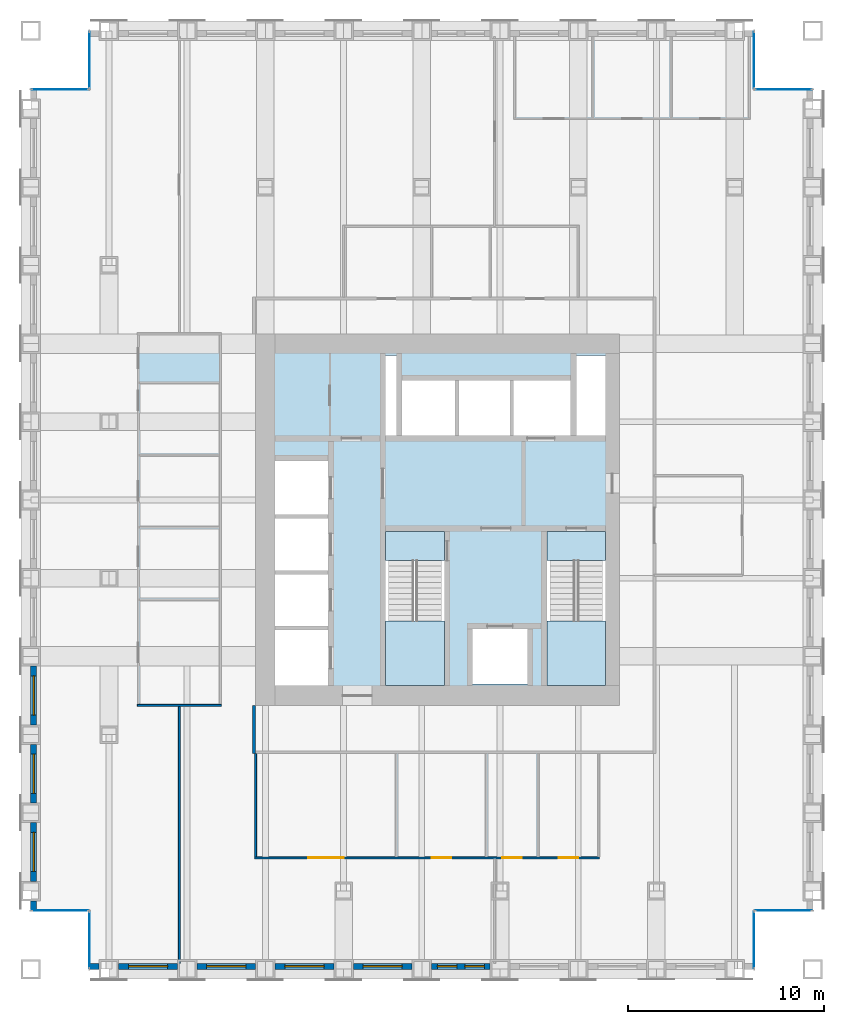
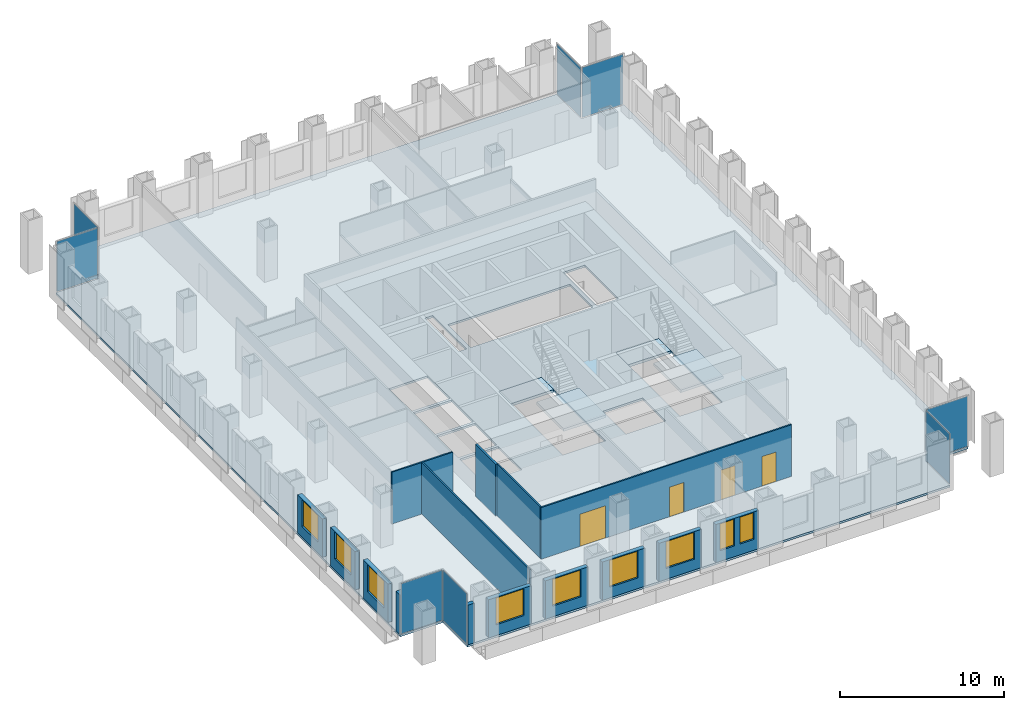
# One storey, part 7 of 12: 15 walls, 9 windows, 8 plates, 5 slabs, 4 doors, 13 openings, 10 elements without a shape of their own.
"""IFC4 building model written with IfcOpenShell, lengths in metres."""

from ifc_helpers import new_model, si_unit, direction, frame, frame_2d, origin, origin_2d, place, context, subcontext, project, spatial, polyline, rectangle, outline, extrude, material, layer, layer_set, type_object, element, fill, aggregate, save


model = new_model("IFC4")

# Units and contexts
model_context = context("Model", 3, precision=1e-05, world=origin(), true_north=direction((0.0, 1.0)))
body_context = subcontext(model_context, "Body", "Model", "MODEL_VIEW")
ifc_project = project(units=[si_unit("LENGTHUNIT", "METRE"), si_unit("AREAUNIT", "SQUARE_METRE"), si_unit("VOLUMEUNIT", "CUBIC_METRE"), si_unit("PLANEANGLEUNIT", "RADIAN"), si_unit("MASSUNIT", "GRAM", prefix="KILO")], contexts=[model_context])

# Site, building, storey
site_placement = place(None, origin())
site = spatial("IfcSite", under=ifc_project, at=site_placement, CompositionType="ELEMENT")
building_placement = place(site_placement, origin())
building = spatial("IfcBuilding", under=site, at=building_placement, Name="Rimbunsela Tower", CompositionType="ELEMENT")
storey_placement = place(building_placement, frame((0.0, 0.0, 163.800048828125)))
storey = spatial("IfcBuildingStorey", under=building, at=storey_placement, Name="L39", CompositionType="ELEMENT", Elevation=163.800048828125)

# Slab
ifc_material_1 = material(Name="Concrete fc' 35 MPa", Category="concrete")
ifc_layer_1 = layer(ifc_material_1, 0.14990234375)
ifc_layer_set_1 = layer_set([ifc_layer_1], Name="Floor slab 150")
slab_type_1 = type_object("IfcSlabType", Name="Floor slab 150", PredefinedType="FLOOR", material=ifc_layer_set_1)
slab_1_placement = place(storey_placement, frame((0.0, 0.0, -0.150146484375)))
element("IfcSlab", 1, at=slab_1_placement, inside=storey, type_object=slab_type_1, Name="Floor slab L39", PredefinedType="FLOOR", context=body_context, shape_type="SweptSolid", body=[
    extrude(outline(polyline([(9.0, 4.0), (43.0, 4.0), (43.0, 7.0), (46.0, 7.0), (46.0, 49.0), (43.0, 49.0), (43.0, 52.0), (9.0, 52.0), (9.0, 49.0), (6.0, 49.0), (6.0, 7.0), (9.0, 7.0), (9.0, 4.0)]), holes=[polyline([(21.199951171875, 21.35009765625), (18.5, 21.35009765625), (18.5, 18.5), (21.199951171875, 18.5), (21.199951171875, 21.35009765625)]), polyline([(21.199951171875, 21.550048828125), (21.199951171875, 24.199951171875), (18.5, 24.199951171875), (18.5, 21.550048828125), (21.199951171875, 21.550048828125)]), polyline([(21.199951171875, 27.050048828125), (18.5, 27.050048828125), (18.5, 24.39990234375), (21.199951171875, 24.39990234375), (21.199951171875, 27.050048828125)]), polyline([(21.199951171875, 27.25), (21.199951171875, 30.0), (18.5, 30.0), (18.5, 27.25), (21.199951171875, 27.25)]), polyline([(27.14990234375, 18.60009765625), (27.14990234375, 26.39990234375), (24.14990234375, 26.39990234375), (24.14990234375, 18.60009765625), (27.14990234375, 18.60009765625)]), polyline([(24.699951171875, 31.300048828125), (24.699951171875, 35.39990234375), (24.14990234375, 35.39990234375), (24.14990234375, 31.300048828125), (24.699951171875, 31.300048828125)]), polyline([(25.0, 34.10009765625), (25.0, 31.300048828125), (33.60009765625, 31.300048828125), (33.60009765625, 34.10009765625), (25.0, 34.10009765625)]), polyline([(31.39990234375, 21.39990234375), (28.60009765625, 21.39990234375), (28.60009765625, 18.60009765625), (31.39990234375, 18.60009765625), (31.39990234375, 21.39990234375)]), polyline([(35.39990234375, 18.60009765625), (35.39990234375, 26.39990234375), (32.39990234375, 26.39990234375), (32.39990234375, 18.60009765625), (35.39990234375, 18.60009765625)]), polyline([(35.39990234375, 31.300048828125), (35.39990234375, 35.39990234375), (33.89990234375, 35.39990234375), (33.89990234375, 31.300048828125), (35.39990234375, 31.300048828125)])]), origin(), (0.0, 0.0, 1.0), 0.150146484375),
])

# Curtain wall, plate
ifc_material_2 = material(Name="Aluminium curtain wall", Category="aluminium")
curtain_wall_type = type_object("IfcCurtainWallType", Name="Corner glazing", PredefinedType="USERDEFINED", material=ifc_material_2)
curtain_wall_1_placement = place(storey_placement, origin())
curtain_wall_1 = element("IfcCurtainWall", 2, at=curtain_wall_1_placement, inside=storey, type_object=curtain_wall_type, Name="Corner glazing L39", ObjectType="CORNER GLAZING", PredefinedType="USERDEFINED")
ifc_material_3 = material(Name="Clear double glazing", Category="glass")
ifc_layer_2 = layer(ifc_material_3, 0.028076171875)
ifc_layer_set_2 = layer_set([ifc_layer_2], Name="Glazed panel clear")
plate_type = type_object("IfcPlateType", Name="Glazed panel clear", PredefinedType="CURTAIN_PANEL", material=ifc_layer_set_2)
plate_1_placement = place(storey_placement, frame((43.0, 5.5, 0.06005859375), z_axis=(0.0, 0.0, 1.0), x_axis=(0.0, 1.0, 0.0)))
plate_1 = element("IfcPlate", 3, at=plate_1_placement, type_object=plate_type, Name="CW5 panel 1.1", PredefinedType="CURTAIN_PANEL", context=body_context, shape_type="SweptSolid", body=[
    extrude(rectangle(XDim=2.8798828125, YDim=0.028076171875, at=origin_2d()), origin(), (0.0, 0.0, 1.0), 3.72998046875),
])
aggregate(curtain_wall_1, [plate_1])

curtain_wall_2_placement = place(storey_placement, origin())
curtain_wall_2 = element("IfcCurtainWall", 4, at=curtain_wall_2_placement, inside=storey, type_object=curtain_wall_type, Name="Corner glazing L39", ObjectType="CORNER GLAZING", PredefinedType="USERDEFINED")
plate_2_placement = place(storey_placement, frame((44.5, 7.0, 0.06005859375), z_axis=(0.0, 0.0, 1.0), x_axis=(1.0, 0.0, 0.0)))
plate_2 = element("IfcPlate", 5, at=plate_2_placement, type_object=plate_type, Name="CW5 panel 1.1", PredefinedType="CURTAIN_PANEL", context=body_context, shape_type="SweptSolid", body=[
    extrude(rectangle(XDim=2.8798828125, YDim=0.028076171875, at=origin_2d()), origin(), (0.0, 0.0, 1.0), 3.72998046875),
])
aggregate(curtain_wall_2, [plate_2])

curtain_wall_3_placement = place(storey_placement, origin())
curtain_wall_3 = element("IfcCurtainWall", 6, at=curtain_wall_3_placement, inside=storey, type_object=curtain_wall_type, Name="Corner glazing L39", ObjectType="CORNER GLAZING", PredefinedType="USERDEFINED")
plate_3_placement = place(storey_placement, frame((44.5, 49.0, 0.06005859375), z_axis=(0.0, 0.0, 1.0), x_axis=(-1.0, 0.0, 0.0)))
plate_3 = element("IfcPlate", 7, at=plate_3_placement, type_object=plate_type, Name="CW5 panel 1.1", PredefinedType="CURTAIN_PANEL", context=body_context, shape_type="SweptSolid", body=[
    extrude(rectangle(XDim=2.8798828125, YDim=0.028076171875, at=origin_2d()), origin(), (0.0, 0.0, 1.0), 3.72998046875),
])
aggregate(curtain_wall_3, [plate_3])

curtain_wall_4_placement = place(storey_placement, origin())
curtain_wall_4 = element("IfcCurtainWall", 8, at=curtain_wall_4_placement, inside=storey, type_object=curtain_wall_type, Name="Corner glazing L39", ObjectType="CORNER GLAZING", PredefinedType="USERDEFINED")
plate_4_placement = place(storey_placement, frame((43.0, 50.5, 0.06005859375), z_axis=(0.0, 0.0, 1.0), x_axis=(0.0, 1.0, 0.0)))
plate_4 = element("IfcPlate", 9, at=plate_4_placement, type_object=plate_type, Name="CW5 panel 1.1", PredefinedType="CURTAIN_PANEL", context=body_context, shape_type="SweptSolid", body=[
    extrude(rectangle(XDim=2.8798828125, YDim=0.028076171875, at=origin_2d()), origin(), (0.0, 0.0, 1.0), 3.72998046875),
])
aggregate(curtain_wall_4, [plate_4])

curtain_wall_5_placement = place(storey_placement, origin())
curtain_wall_5 = element("IfcCurtainWall", 10, at=curtain_wall_5_placement, inside=storey, type_object=curtain_wall_type, Name="Corner glazing L39", ObjectType="CORNER GLAZING", PredefinedType="USERDEFINED")
plate_5_placement = place(storey_placement, frame((9.0, 50.5, 0.06005859375), z_axis=(0.0, 0.0, 1.0), x_axis=(0.0, -1.0, 0.0)))
plate_5 = element("IfcPlate", 11, at=plate_5_placement, type_object=plate_type, Name="CW5 panel 1.1", PredefinedType="CURTAIN_PANEL", context=body_context, shape_type="SweptSolid", body=[
    extrude(rectangle(XDim=2.8798828125, YDim=0.028076171875, at=origin_2d()), origin(), (0.0, 0.0, 1.0), 3.72998046875),
])
aggregate(curtain_wall_5, [plate_5])

curtain_wall_6_placement = place(storey_placement, origin())
curtain_wall_6 = element("IfcCurtainWall", 12, at=curtain_wall_6_placement, inside=storey, type_object=curtain_wall_type, Name="Corner glazing L39", ObjectType="CORNER GLAZING", PredefinedType="USERDEFINED")
plate_6_placement = place(storey_placement, frame((7.5, 49.0, 0.06005859375), z_axis=(0.0, 0.0, 1.0), x_axis=(-1.0, 0.0, 0.0)))
plate_6 = element("IfcPlate", 13, at=plate_6_placement, type_object=plate_type, Name="CW5 panel 1.1", PredefinedType="CURTAIN_PANEL", context=body_context, shape_type="SweptSolid", body=[
    extrude(rectangle(XDim=2.8798828125, YDim=0.028076171875, at=origin_2d()), origin(), (0.0, 0.0, 1.0), 3.72998046875),
])
aggregate(curtain_wall_6, [plate_6])

curtain_wall_7_placement = place(storey_placement, origin())
curtain_wall_7 = element("IfcCurtainWall", 14, at=curtain_wall_7_placement, inside=storey, type_object=curtain_wall_type, Name="Corner glazing L39", ObjectType="CORNER GLAZING", PredefinedType="USERDEFINED")
plate_7_placement = place(storey_placement, frame((7.5, 7.0, 0.06005859375), z_axis=(0.0, 0.0, 1.0), x_axis=(1.0, 0.0, 0.0)))
plate_7 = element("IfcPlate", 15, at=plate_7_placement, type_object=plate_type, Name="CW5 panel 1.1", PredefinedType="CURTAIN_PANEL", context=body_context, shape_type="SweptSolid", body=[
    extrude(rectangle(XDim=2.8798828125, YDim=0.028076171875, at=origin_2d()), origin(), (0.0, 0.0, 1.0), 3.72998046875),
])
aggregate(curtain_wall_7, [plate_7])

curtain_wall_8_placement = place(storey_placement, origin())
curtain_wall_8 = element("IfcCurtainWall", 16, at=curtain_wall_8_placement, inside=storey, type_object=curtain_wall_type, Name="Corner glazing L39", ObjectType="CORNER GLAZING", PredefinedType="USERDEFINED")
plate_8_placement = place(storey_placement, frame((9.0, 5.5, 0.06005859375), z_axis=(0.0, 0.0, 1.0), x_axis=(0.0, -1.0, 0.0)))
plate_8 = element("IfcPlate", 17, at=plate_8_placement, type_object=plate_type, Name="CW5 panel 1.1", PredefinedType="CURTAIN_PANEL", context=body_context, shape_type="SweptSolid", body=[
    extrude(rectangle(XDim=2.8798828125, YDim=0.028076171875, at=origin_2d()), origin(), (0.0, 0.0, 1.0), 3.72998046875),
])
aggregate(curtain_wall_8, [plate_8])

# Stair, slabs
ifc_material_4 = material(Name="Concrete fc' 35 MPa", Category="concrete")
stair_type = type_object("IfcStairType", Name="Exit stair 24 risers", PredefinedType="HALF_TURN_STAIR", material=ifc_material_4)
stair_1_placement = place(storey_placement, origin())
stair_1 = element("IfcStair", 18, at=stair_1_placement, inside=storey, type_object=stair_type, Name="Exit stair A L39", PredefinedType="HALF_TURN_STAIR")
ifc_material_5 = material(Name="Concrete fc' 35 MPa", Category="concrete")
ifc_layer_3 = layer(ifc_material_5, 0.199951171875)
ifc_layer_set_3 = layer_set([ifc_layer_3], Name="Stair landing 200")
slab_type_2 = type_object("IfcSlabType", Name="Stair landing 200", PredefinedType="LANDING", material=ifc_layer_set_3)
slab_2_placement = place(storey_placement, frame((0.0, 0.0, -0.199951171875)))
slab_2 = element("IfcSlab", 19, at=slab_2_placement, type_object=slab_type_2, Name="ST-A landing 1", PredefinedType="LANDING", context=body_context, shape_type="SweptSolid", body=[
    extrude(outline(polyline([(24.14990234375, 24.89990234375), (27.14990234375, 24.89990234375), (27.14990234375, 26.39990234375), (24.14990234375, 26.39990234375), (24.14990234375, 24.89990234375)])), origin(), (0.0, 0.0, 1.0), 0.199951171875),
])
slab_3_placement = place(storey_placement, frame((0.0, 0.0, 1.800048828125)))
slab_3 = element("IfcSlab", 20, at=slab_3_placement, type_object=slab_type_2, Name="ST-A landing 2", PredefinedType="LANDING", context=body_context, shape_type="SweptSolid", body=[
    extrude(outline(polyline([(24.14990234375, 18.5), (27.14990234375, 18.5), (27.14990234375, 21.820068359375), (24.14990234375, 21.820068359375), (24.14990234375, 18.5)])), origin(), (0.0, 0.0, 1.0), 0.199951171875),
])
aggregate(stair_1, [slab_2, slab_3])

stair_2_placement = place(storey_placement, origin())
stair_2 = element("IfcStair", 21, at=stair_2_placement, inside=storey, type_object=stair_type, Name="Exit stair B L39", PredefinedType="HALF_TURN_STAIR")
slab_4_placement = place(storey_placement, frame((0.0, 0.0, -0.199951171875)))
slab_4 = element("IfcSlab", 22, at=slab_4_placement, type_object=slab_type_2, Name="ST-B landing 1", PredefinedType="LANDING", context=body_context, shape_type="SweptSolid", body=[
    extrude(outline(polyline([(32.39990234375, 24.89990234375), (35.39990234375, 24.89990234375), (35.39990234375, 26.39990234375), (32.39990234375, 26.39990234375), (32.39990234375, 24.89990234375)])), origin(), (0.0, 0.0, 1.0), 0.199951171875),
])
slab_5_placement = place(storey_placement, frame((0.0, 0.0, 1.800048828125)))
slab_5 = element("IfcSlab", 23, at=slab_5_placement, type_object=slab_type_2, Name="ST-B landing 2", PredefinedType="LANDING", context=body_context, shape_type="SweptSolid", body=[
    extrude(outline(polyline([(32.39990234375, 18.5), (35.39990234375, 18.5), (35.39990234375, 21.820068359375), (32.39990234375, 21.820068359375), (32.39990234375, 18.5)])), origin(), (0.0, 0.0, 1.0), 0.199951171875),
])
aggregate(stair_2, [slab_4, slab_5])

# Wall, openings, doors
ifc_material_6 = material(Name="Gypsum board on steel studs", Category="steel")
ifc_layer_4 = layer(ifc_material_6, 0.10009765625)
ifc_layer_set_4 = layer_set([ifc_layer_4], Name="Office partition 100")
wall_type_1 = type_object("IfcWallType", Name="Office partition 100", PredefinedType="PARTITIONING", material=ifc_layer_set_4)
wall_1_placement = place(storey_placement, frame((17.449951171875, 9.699951171875, 0.0), z_axis=(0.0, 0.0, 1.0), x_axis=(1.0, 0.0, 0.0)))
wall_1 = element("IfcWall", 24, at=wall_1_placement, inside=storey, type_object=wall_type_1, Name="Office partition", PredefinedType="PARTITIONING", context=body_context, shape_type="SweptSolid", body=[
    extrude(rectangle(XDim=17.650146484375, YDim=0.10009765625, at=frame_2d((8.8251953125, 0.0))), origin(), (0.0, 0.0, 1.0), 3.849853515625),
])
opening_1_placement = place(wall_1_placement, frame((2.75, 0.0, 0.0)))
opening_1 = element("IfcOpeningElement", 25, at=opening_1_placement, cuts=wall_1, Name="Opening D18", PredefinedType="OPENING", context=body_context, shape_type="SweptSolid", body=[
    extrude(rectangle(XDim=1.800048828125, YDim=2.39990234375, at=frame_2d((0.89990234375, 1.199951171875))), frame((0.0, 0.06005859375, 0.0), z_axis=(0.0, -1.0, 0.0), x_axis=(1.0, 0.0, 0.0)), (0.0, 0.0, 1.0), 0.1201171875),
])
opening_2_placement = place(wall_1_placement, frame((9.050048828125, 0.0, 0.0)))
opening_2 = element("IfcOpeningElement", 26, at=opening_2_placement, cuts=wall_1, Name="Opening D16", PredefinedType="OPENING", context=body_context, shape_type="SweptSolid", body=[
    extrude(rectangle(XDim=1.0, YDim=2.199951171875, at=frame_2d((0.5, 1.10009765625))), frame((0.0, 0.06005859375, 0.0), z_axis=(0.0, -1.0, 0.0), x_axis=(1.0, 0.0, 0.0)), (0.0, 0.0, 1.0), 0.1201171875),
])
opening_3_placement = place(wall_1_placement, frame((12.675048828125, 0.0, 0.0)))
opening_3 = element("IfcOpeningElement", 27, at=opening_3_placement, cuts=wall_1, Name="Opening D16", PredefinedType="OPENING", context=body_context, shape_type="SweptSolid", body=[
    extrude(rectangle(XDim=1.0, YDim=2.199951171875, at=frame_2d((0.5, 1.10009765625))), frame((0.0, 0.06005859375, 0.0), z_axis=(0.0, -1.0, 0.0), x_axis=(1.0, 0.0, 0.0)), (0.0, 0.0, 1.0), 0.1201171875),
])
opening_4_placement = place(wall_1_placement, frame((15.550048828125, 0.0, 0.0)))
opening_4 = element("IfcOpeningElement", 28, at=opening_4_placement, cuts=wall_1, Name="Opening D16", PredefinedType="OPENING", context=body_context, shape_type="SweptSolid", body=[
    extrude(rectangle(XDim=1.0, YDim=2.199951171875, at=frame_2d((0.5, 1.10009765625))), frame((0.0, 0.06005859375, 0.0), z_axis=(0.0, -1.0, 0.0), x_axis=(1.0, 0.0, 0.0)), (0.0, 0.0, 1.0), 0.1201171875),
])
ifc_material_7 = material(Name="Glazed aluminium door", Category="aluminium")
door_type_1 = type_object("IfcDoorType", Name="Boardroom door 1800 glazed", OperationType="DOUBLE_DOOR_DOUBLE_SWING", PredefinedType="DOOR", material=ifc_material_7)
door_1_placement = place(opening_1_placement, origin())
door_1 = element("IfcDoor", 29, at=door_1_placement, inside=storey, type_object=door_type_1, Name="Boardroom door", OperationType="DOUBLE_DOOR_DOUBLE_SWING", OverallHeight=2.39990234375, OverallWidth=1.800048828125, PredefinedType="DOOR", context=body_context, shape_type="SweptSolid", body=[
    extrude(rectangle(XDim=1.800048828125, YDim=2.39990234375, at=frame_2d((0.89990234375, 1.199951171875))), frame((0.0, 0.02490234375, 0.0), z_axis=(0.0, -1.0, 0.0), x_axis=(1.0, 0.0, 0.0)), (0.0, 0.0, 1.0), 0.050048828125),
])
fill(opening_1, door_1)
ifc_material_8 = material(Name="Timber door", Category="wood")
door_type_2 = type_object("IfcDoorType", Name="Office door 1000", OperationType="SINGLE_SWING_LEFT", PredefinedType="DOOR", material=ifc_material_8)
door_2_placement = place(opening_2_placement, origin())
door_2 = element("IfcDoor", 30, at=door_2_placement, inside=storey, type_object=door_type_2, Name="Office door", OperationType="SINGLE_SWING_LEFT", OverallHeight=2.199951171875, OverallWidth=1.0, PredefinedType="DOOR", context=body_context, shape_type="SweptSolid", body=[
    extrude(rectangle(XDim=1.0, YDim=2.199951171875, at=frame_2d((0.5, 1.10009765625))), frame((0.0, 0.02490234375, 0.0), z_axis=(0.0, -1.0, 0.0), x_axis=(1.0, 0.0, 0.0)), (0.0, 0.0, 1.0), 0.050048828125),
])
fill(opening_2, door_2)
door_3_placement = place(opening_3_placement, origin())
door_3 = element("IfcDoor", 31, at=door_3_placement, inside=storey, type_object=door_type_2, Name="Office door", OperationType="SINGLE_SWING_LEFT", OverallHeight=2.199951171875, OverallWidth=1.0, PredefinedType="DOOR", context=body_context, shape_type="SweptSolid", body=[
    extrude(rectangle(XDim=1.0, YDim=2.199951171875, at=frame_2d((0.5, 1.10009765625))), frame((0.0, 0.02490234375, 0.0), z_axis=(0.0, -1.0, 0.0), x_axis=(1.0, 0.0, 0.0)), (0.0, 0.0, 1.0), 0.050048828125),
])
fill(opening_3, door_3)
door_4_placement = place(opening_4_placement, origin())
door_4 = element("IfcDoor", 32, at=door_4_placement, inside=storey, type_object=door_type_2, Name="Office door", OperationType="SINGLE_SWING_LEFT", OverallHeight=2.199951171875, OverallWidth=1.0, PredefinedType="DOOR", context=body_context, shape_type="SweptSolid", body=[
    extrude(rectangle(XDim=1.0, YDim=2.199951171875, at=frame_2d((0.5, 1.10009765625))), frame((0.0, 0.02490234375, 0.0), z_axis=(0.0, -1.0, 0.0), x_axis=(1.0, 0.0, 0.0)), (0.0, 0.0, 1.0), 0.050048828125),
])
fill(opening_4, door_4)

# Walls
wall_2_placement = place(storey_placement, frame((11.449951171875, 17.5, 0.0), z_axis=(0.0, 0.0, 1.0), x_axis=(1.0, 0.0, 0.0)))
element("IfcWall", 33, at=wall_2_placement, inside=storey, type_object=wall_type_1, Name="Office partition", PredefinedType="PARTITIONING", context=body_context, shape_type="SweptSolid", body=[
    extrude(rectangle(XDim=4.300048828125, YDim=0.10009765625, at=frame_2d((2.14990234375, 0.0))), origin(), (0.0, 0.0, 1.0), 3.849853515625),
])
wall_3_placement = place(storey_placement, frame((17.5, 9.75, 0.0), z_axis=(0.0, 0.0, 1.0), x_axis=(0.0, 1.0, 0.0)))
element("IfcWall", 34, at=wall_3_placement, inside=storey, type_object=wall_type_1, Name="Office partition", PredefinedType="PARTITIONING", context=body_context, shape_type="SweptSolid", body=[
    extrude(rectangle(XDim=5.27490234375, YDim=0.10009765625, at=frame_2d((2.637451171875, 0.0))), origin(), (0.0, 0.0, 1.0), 3.849853515625),
])
wall_4_placement = place(storey_placement, frame((13.60009765625, 4.300048828125, 0.0), z_axis=(0.0, 0.0, 1.0), x_axis=(0.0, 1.0, 0.0)))
element("IfcWall", 35, at=wall_4_placement, inside=storey, type_object=wall_type_1, Name="Office partition", PredefinedType="PARTITIONING", context=body_context, shape_type="SweptSolid", body=[
    extrude(rectangle(XDim=13.14990234375, YDim=0.10009765625, at=frame_2d((6.574951171875, 0.0))), origin(), (0.0, 0.0, 1.0), 3.849853515625),
])
ifc_material_9 = material(Name="Precast concrete fc' 35 MPa", Category="concrete")
ifc_layer_5 = layer(ifc_material_9, 0.300048828125)
ifc_layer_set_5 = layer_set([ifc_layer_5], Name="Precast concrete fc' 35 MPa")
wall_type_2 = type_object("IfcWallType", Name="Precast facade panel 300", PredefinedType="ELEMENTEDWALL", material=ifc_layer_set_5)
wall_5_placement = place(storey_placement, frame((9.030029296875, 4.14990234375, 0.0), z_axis=(0.0, 0.0, 1.0), x_axis=(1.0, 0.0, 0.0)))
element("IfcWall", 36, at=wall_5_placement, inside=storey, type_object=wall_type_2, Name="Facade panel S L39", PredefinedType="ELEMENTEDWALL", context=body_context, shape_type="SweptSolid", body=[
    extrude(rectangle(XDim=0.469970703125, YDim=0.300048828125, at=frame_2d((0.23486328125, 0.0))), origin(), (0.0, 0.0, 1.0), 2.949951171875),
])

# Wall, opening, window
wall_6_placement = place(storey_placement, frame((10.5, 4.14990234375, 0.0), z_axis=(0.0, 0.0, 1.0), x_axis=(1.0, 0.0, 0.0)))
wall_6 = element("IfcWall", 37, at=wall_6_placement, inside=storey, type_object=wall_type_2, Name="Facade panel S L39", PredefinedType="ELEMENTEDWALL", context=body_context, shape_type="SweptSolid", body=[
    extrude(rectangle(XDim=3.0, YDim=0.300048828125, at=frame_2d((1.5, 0.0))), origin(), (0.0, 0.0, 1.0), 2.849853515625),
])
opening_5_placement = place(wall_6_placement, frame((0.5, 0.0, 0.800048828125)))
opening_5 = element("IfcOpeningElement", 38, at=opening_5_placement, cuts=wall_6, Name="Opening W1", PredefinedType="OPENING", context=body_context, shape_type="SweptSolid", body=[
    extrude(rectangle(XDim=2.0, YDim=2.0, at=frame_2d((1.0, 1.0))), frame((0.0, 0.159912109375, 0.0), z_axis=(0.0, -1.0, 0.0), x_axis=(1.0, 0.0, 0.0)), (0.0, 0.0, 1.0), 0.320068359375),
])
ifc_material_10 = material(Name="Clear glass in aluminium frame", Category="aluminium")
window_type_1 = type_object("IfcWindowType", Name="Window W1 2000x2000", PartitioningType="DOUBLE_PANEL_VERTICAL", PredefinedType="WINDOW", material=ifc_material_10)
window_1_placement = place(opening_5_placement, origin())
window_1 = element("IfcWindow", 39, at=window_1_placement, inside=storey, type_object=window_type_1, Name="Window L39", OverallHeight=2.0, OverallWidth=2.0, PartitioningType="SINGLE_PANEL", PredefinedType="WINDOW", context=body_context, shape_type="SweptSolid", body=[
    extrude(rectangle(XDim=2.0, YDim=2.0, at=frame_2d((1.0, 1.0))), frame((0.0, 0.030029296875, 0.0), z_axis=(0.0, -1.0, 0.0), x_axis=(1.0, 0.0, 0.0)), (0.0, 0.0, 1.0), 0.06005859375),
])
fill(opening_5, window_1)

wall_7_placement = place(storey_placement, frame((14.5, 4.14990234375, 0.0), z_axis=(0.0, 0.0, 1.0), x_axis=(1.0, 0.0, 0.0)))
wall_7 = element("IfcWall", 40, at=wall_7_placement, inside=storey, type_object=wall_type_2, Name="Facade panel S L39", PredefinedType="ELEMENTEDWALL", context=body_context, shape_type="SweptSolid", body=[
    extrude(rectangle(XDim=3.0, YDim=0.300048828125, at=frame_2d((1.5, 0.0))), origin(), (0.0, 0.0, 1.0), 2.849853515625),
])
opening_6_placement = place(wall_7_placement, frame((0.5, 0.0, 0.800048828125)))
opening_6 = element("IfcOpeningElement", 41, at=opening_6_placement, cuts=wall_7, Name="Opening W1", PredefinedType="OPENING", context=body_context, shape_type="SweptSolid", body=[
    extrude(rectangle(XDim=2.0, YDim=2.0, at=frame_2d((1.0, 1.0))), frame((0.0, 0.159912109375, 0.0), z_axis=(0.0, -1.0, 0.0), x_axis=(1.0, 0.0, 0.0)), (0.0, 0.0, 1.0), 0.320068359375),
])
window_2_placement = place(opening_6_placement, origin())
window_2 = element("IfcWindow", 42, at=window_2_placement, inside=storey, type_object=window_type_1, Name="Window L39", OverallHeight=2.0, OverallWidth=2.0, PartitioningType="SINGLE_PANEL", PredefinedType="WINDOW", context=body_context, shape_type="SweptSolid", body=[
    extrude(rectangle(XDim=2.0, YDim=2.0, at=frame_2d((1.0, 1.0))), frame((0.0, 0.030029296875, 0.0), z_axis=(0.0, -1.0, 0.0), x_axis=(1.0, 0.0, 0.0)), (0.0, 0.0, 1.0), 0.06005859375),
])
fill(opening_6, window_2)

wall_8_placement = place(storey_placement, frame((18.5, 4.14990234375, 0.0), z_axis=(0.0, 0.0, 1.0), x_axis=(1.0, 0.0, 0.0)))
wall_8 = element("IfcWall", 43, at=wall_8_placement, inside=storey, type_object=wall_type_2, Name="Facade panel S L39", PredefinedType="ELEMENTEDWALL", context=body_context, shape_type="SweptSolid", body=[
    extrude(rectangle(XDim=3.0, YDim=0.300048828125, at=frame_2d((1.5, 0.0))), origin(), (0.0, 0.0, 1.0), 2.849853515625),
])
opening_7_placement = place(wall_8_placement, frame((0.5, 0.0, 0.800048828125)))
opening_7 = element("IfcOpeningElement", 44, at=opening_7_placement, cuts=wall_8, Name="Opening W1", PredefinedType="OPENING", context=body_context, shape_type="SweptSolid", body=[
    extrude(rectangle(XDim=2.0, YDim=2.0, at=frame_2d((1.0, 1.0))), frame((0.0, 0.159912109375, 0.0), z_axis=(0.0, -1.0, 0.0), x_axis=(1.0, 0.0, 0.0)), (0.0, 0.0, 1.0), 0.320068359375),
])
window_3_placement = place(opening_7_placement, origin())
window_3 = element("IfcWindow", 45, at=window_3_placement, inside=storey, type_object=window_type_1, Name="Window L39", OverallHeight=2.0, OverallWidth=2.0, PartitioningType="SINGLE_PANEL", PredefinedType="WINDOW", context=body_context, shape_type="SweptSolid", body=[
    extrude(rectangle(XDim=2.0, YDim=2.0, at=frame_2d((1.0, 1.0))), frame((0.0, 0.030029296875, 0.0), z_axis=(0.0, -1.0, 0.0), x_axis=(1.0, 0.0, 0.0)), (0.0, 0.0, 1.0), 0.06005859375),
])
fill(opening_7, window_3)

wall_9_placement = place(storey_placement, frame((22.5, 4.14990234375, 0.0), z_axis=(0.0, 0.0, 1.0), x_axis=(1.0, 0.0, 0.0)))
wall_9 = element("IfcWall", 46, at=wall_9_placement, inside=storey, type_object=wall_type_2, Name="Facade panel S L39", PredefinedType="ELEMENTEDWALL", context=body_context, shape_type="SweptSolid", body=[
    extrude(rectangle(XDim=3.0, YDim=0.300048828125, at=frame_2d((1.5, 0.0))), origin(), (0.0, 0.0, 1.0), 2.849853515625),
])
opening_8_placement = place(wall_9_placement, frame((0.5, 0.0, 0.800048828125)))
opening_8 = element("IfcOpeningElement", 47, at=opening_8_placement, cuts=wall_9, Name="Opening W1", PredefinedType="OPENING", context=body_context, shape_type="SweptSolid", body=[
    extrude(rectangle(XDim=2.0, YDim=2.0, at=frame_2d((1.0, 1.0))), frame((0.0, 0.159912109375, 0.0), z_axis=(0.0, -1.0, 0.0), x_axis=(1.0, 0.0, 0.0)), (0.0, 0.0, 1.0), 0.320068359375),
])
window_4_placement = place(opening_8_placement, origin())
window_4 = element("IfcWindow", 48, at=window_4_placement, inside=storey, type_object=window_type_1, Name="Window L39", OverallHeight=2.0, OverallWidth=2.0, PartitioningType="SINGLE_PANEL", PredefinedType="WINDOW", context=body_context, shape_type="SweptSolid", body=[
    extrude(rectangle(XDim=2.0, YDim=2.0, at=frame_2d((1.0, 1.0))), frame((0.0, 0.030029296875, 0.0), z_axis=(0.0, -1.0, 0.0), x_axis=(1.0, 0.0, 0.0)), (0.0, 0.0, 1.0), 0.06005859375),
])
fill(opening_8, window_4)

# Wall, openings, windows
wall_10_placement = place(storey_placement, frame((26.5, 4.14990234375, 0.0), z_axis=(0.0, 0.0, 1.0), x_axis=(1.0, 0.0, 0.0)))
wall_10 = element("IfcWall", 49, at=wall_10_placement, inside=storey, type_object=wall_type_2, Name="Facade panel S L39", PredefinedType="ELEMENTEDWALL", context=body_context, shape_type="SweptSolid", body=[
    extrude(rectangle(XDim=3.0, YDim=0.300048828125, at=frame_2d((1.5, 0.0))), origin(), (0.0, 0.0, 1.0), 2.849853515625),
])
opening_9_placement = place(wall_10_placement, frame((0.300048828125, 0.0, 0.800048828125)))
opening_9 = element("IfcOpeningElement", 50, at=opening_9_placement, cuts=wall_10, Name="Opening W5", PredefinedType="OPENING", context=body_context, shape_type="SweptSolid", body=[
    extrude(rectangle(XDim=1.0, YDim=2.0, at=frame_2d((0.5, 1.0))), frame((0.0, 0.159912109375, 0.0), z_axis=(0.0, -1.0, 0.0), x_axis=(1.0, 0.0, 0.0)), (0.0, 0.0, 1.0), 0.320068359375),
])
opening_10_placement = place(wall_10_placement, frame((1.699951171875, 0.0, 0.800048828125)))
opening_10 = element("IfcOpeningElement", 51, at=opening_10_placement, cuts=wall_10, Name="Opening W5", PredefinedType="OPENING", context=body_context, shape_type="SweptSolid", body=[
    extrude(rectangle(XDim=1.0, YDim=2.0, at=frame_2d((0.5, 1.0))), frame((0.0, 0.159912109375, 0.0), z_axis=(0.0, -1.0, 0.0), x_axis=(1.0, 0.0, 0.0)), (0.0, 0.0, 1.0), 0.320068359375),
])
ifc_material_11 = material(Name="Clear glass in aluminium frame", Category="aluminium")
window_type_2 = type_object("IfcWindowType", Name="Window W5 1000x2000", PartitioningType="SINGLE_PANEL", PredefinedType="WINDOW", material=ifc_material_11)
window_5_placement = place(opening_9_placement, origin())
window_5 = element("IfcWindow", 52, at=window_5_placement, inside=storey, type_object=window_type_2, Name="Window L39", OverallHeight=2.0, OverallWidth=1.0, PartitioningType="SINGLE_PANEL", PredefinedType="WINDOW", context=body_context, shape_type="SweptSolid", body=[
    extrude(rectangle(XDim=1.0, YDim=2.0, at=frame_2d((0.5, 1.0))), frame((0.0, 0.030029296875, 0.0), z_axis=(0.0, -1.0, 0.0), x_axis=(1.0, 0.0, 0.0)), (0.0, 0.0, 1.0), 0.06005859375),
])
fill(opening_9, window_5)
window_6_placement = place(opening_10_placement, origin())
window_6 = element("IfcWindow", 53, at=window_6_placement, inside=storey, type_object=window_type_2, Name="Window L39", OverallHeight=2.0, OverallWidth=1.0, PartitioningType="SINGLE_PANEL", PredefinedType="WINDOW", context=body_context, shape_type="SweptSolid", body=[
    extrude(rectangle(XDim=1.0, YDim=2.0, at=frame_2d((0.5, 1.0))), frame((0.0, 0.030029296875, 0.0), z_axis=(0.0, -1.0, 0.0), x_axis=(1.0, 0.0, 0.0)), (0.0, 0.0, 1.0), 0.06005859375),
])
fill(opening_10, window_6)

# Wall
wall_11_placement = place(storey_placement, frame((6.14990234375, 7.5, 0.0), z_axis=(0.0, 0.0, 1.0), x_axis=(0.0, -1.0, 0.0)))
element("IfcWall", 54, at=wall_11_placement, inside=storey, type_object=wall_type_2, Name="Facade panel W L39", PredefinedType="ELEMENTEDWALL", context=body_context, shape_type="SweptSolid", body=[
    extrude(rectangle(XDim=0.469970703125, YDim=0.300048828125, at=frame_2d((0.23486328125, 0.0))), origin(), (0.0, 0.0, 1.0), 2.949951171875),
])

# Wall, opening, window
wall_12_placement = place(storey_placement, frame((6.14990234375, 11.5, 0.0), z_axis=(0.0, 0.0, 1.0), x_axis=(0.0, -1.0, 0.0)))
wall_12 = element("IfcWall", 55, at=wall_12_placement, inside=storey, type_object=wall_type_2, Name="Facade panel W L39", PredefinedType="ELEMENTEDWALL", context=body_context, shape_type="SweptSolid", body=[
    extrude(rectangle(XDim=3.0, YDim=0.300048828125, at=frame_2d((1.5, 0.0))), origin(), (0.0, 0.0, 1.0), 2.849853515625),
])
opening_11_placement = place(wall_12_placement, frame((0.5, 0.0, 0.800048828125)))
opening_11 = element("IfcOpeningElement", 56, at=opening_11_placement, cuts=wall_12, Name="Opening W1", PredefinedType="OPENING", context=body_context, shape_type="SweptSolid", body=[
    extrude(rectangle(XDim=2.0, YDim=2.0, at=frame_2d((1.0, 1.0))), frame((0.0, 0.159912109375, 0.0), z_axis=(0.0, -1.0, 0.0), x_axis=(1.0, 0.0, 0.0)), (0.0, 0.0, 1.0), 0.320068359375),
])
window_7_placement = place(opening_11_placement, origin())
window_7 = element("IfcWindow", 57, at=window_7_placement, inside=storey, type_object=window_type_1, Name="Window L39", OverallHeight=2.0, OverallWidth=2.0, PartitioningType="SINGLE_PANEL", PredefinedType="WINDOW", context=body_context, shape_type="SweptSolid", body=[
    extrude(rectangle(XDim=2.0, YDim=2.0, at=frame_2d((1.0, 1.0))), frame((0.0, 0.030029296875, 0.0), z_axis=(0.0, -1.0, 0.0), x_axis=(1.0, 0.0, 0.0)), (0.0, 0.0, 1.0), 0.06005859375),
])
fill(opening_11, window_7)

wall_13_placement = place(storey_placement, frame((6.14990234375, 15.5, 0.0), z_axis=(0.0, 0.0, 1.0), x_axis=(0.0, -1.0, 0.0)))
wall_13 = element("IfcWall", 58, at=wall_13_placement, inside=storey, type_object=wall_type_2, Name="Facade panel W L39", PredefinedType="ELEMENTEDWALL", context=body_context, shape_type="SweptSolid", body=[
    extrude(rectangle(XDim=3.0, YDim=0.300048828125, at=frame_2d((1.5, 0.0))), origin(), (0.0, 0.0, 1.0), 2.849853515625),
])
opening_12_placement = place(wall_13_placement, frame((0.5, 0.0, 0.800048828125)))
opening_12 = element("IfcOpeningElement", 59, at=opening_12_placement, cuts=wall_13, Name="Opening W1", PredefinedType="OPENING", context=body_context, shape_type="SweptSolid", body=[
    extrude(rectangle(XDim=2.0, YDim=2.0, at=frame_2d((1.0, 1.0))), frame((0.0, 0.159912109375, 0.0), z_axis=(0.0, -1.0, 0.0), x_axis=(1.0, 0.0, 0.0)), (0.0, 0.0, 1.0), 0.320068359375),
])
window_8_placement = place(opening_12_placement, origin())
window_8 = element("IfcWindow", 60, at=window_8_placement, inside=storey, type_object=window_type_1, Name="Window L39", OverallHeight=2.0, OverallWidth=2.0, PartitioningType="SINGLE_PANEL", PredefinedType="WINDOW", context=body_context, shape_type="SweptSolid", body=[
    extrude(rectangle(XDim=2.0, YDim=2.0, at=frame_2d((1.0, 1.0))), frame((0.0, 0.030029296875, 0.0), z_axis=(0.0, -1.0, 0.0), x_axis=(1.0, 0.0, 0.0)), (0.0, 0.0, 1.0), 0.06005859375),
])
fill(opening_12, window_8)

wall_14_placement = place(storey_placement, frame((6.14990234375, 19.5, 0.0), z_axis=(0.0, 0.0, 1.0), x_axis=(0.0, -1.0, 0.0)))
wall_14 = element("IfcWall", 61, at=wall_14_placement, inside=storey, type_object=wall_type_2, Name="Facade panel W L39", PredefinedType="ELEMENTEDWALL", context=body_context, shape_type="SweptSolid", body=[
    extrude(rectangle(XDim=3.0, YDim=0.300048828125, at=frame_2d((1.5, 0.0))), origin(), (0.0, 0.0, 1.0), 2.849853515625),
])
opening_13_placement = place(wall_14_placement, frame((0.5, 0.0, 0.800048828125)))
opening_13 = element("IfcOpeningElement", 62, at=opening_13_placement, cuts=wall_14, Name="Opening W1", PredefinedType="OPENING", context=body_context, shape_type="SweptSolid", body=[
    extrude(rectangle(XDim=2.0, YDim=2.0, at=frame_2d((1.0, 1.0))), frame((0.0, 0.159912109375, 0.0), z_axis=(0.0, -1.0, 0.0), x_axis=(1.0, 0.0, 0.0)), (0.0, 0.0, 1.0), 0.320068359375),
])
window_9_placement = place(opening_13_placement, origin())
window_9 = element("IfcWindow", 63, at=window_9_placement, inside=storey, type_object=window_type_1, Name="Window L39", OverallHeight=2.0, OverallWidth=2.0, PartitioningType="SINGLE_PANEL", PredefinedType="WINDOW", context=body_context, shape_type="SweptSolid", body=[
    extrude(rectangle(XDim=2.0, YDim=2.0, at=frame_2d((1.0, 1.0))), frame((0.0, 0.030029296875, 0.0), z_axis=(0.0, -1.0, 0.0), x_axis=(1.0, 0.0, 0.0)), (0.0, 0.0, 1.0), 0.06005859375),
])
fill(opening_13, window_9)

# Wall
ifc_material_12 = material(Name="Fire-rated gypsum board on steel studs, EI 60", Category="steel")
ifc_layer_6 = layer(ifc_material_12, 0.14990234375)
ifc_layer_set_6 = layer_set([ifc_layer_6], Name="Rated corridor wall 150")
wall_type_3 = type_object("IfcWallType", Name="Rated corridor wall 150", PredefinedType="PARTITIONING", material=ifc_layer_set_6)
wall_15_placement = place(storey_placement, frame((17.425048828125, 15.02490234375, 0.0), z_axis=(0.0, 0.0, 1.0), x_axis=(0.0, 1.0, 0.0)))
element("IfcWall", 64, at=wall_15_placement, inside=storey, type_object=wall_type_3, Name="Corridor end wall south", PredefinedType="PARTITIONING", context=body_context, shape_type="SweptSolid", body=[
    extrude(rectangle(XDim=2.47509765625, YDim=0.14990234375, at=frame_2d((1.237548828125, 0.0))), origin(), (0.0, 0.0, 1.0), 3.849853515625),
])

save(model, "model.ifc")
